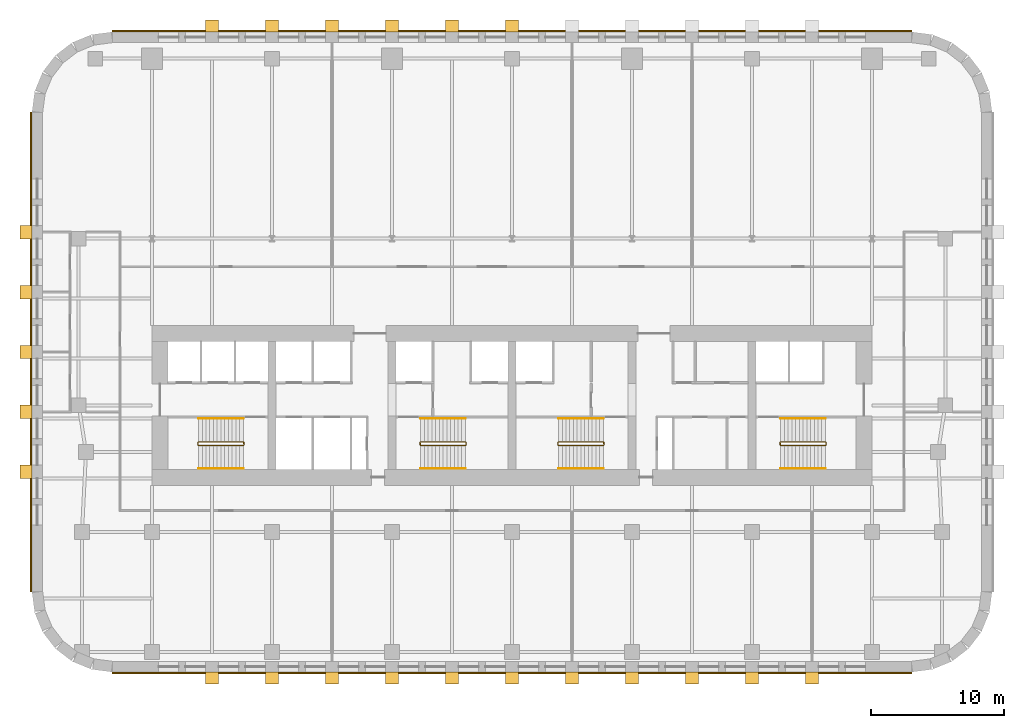
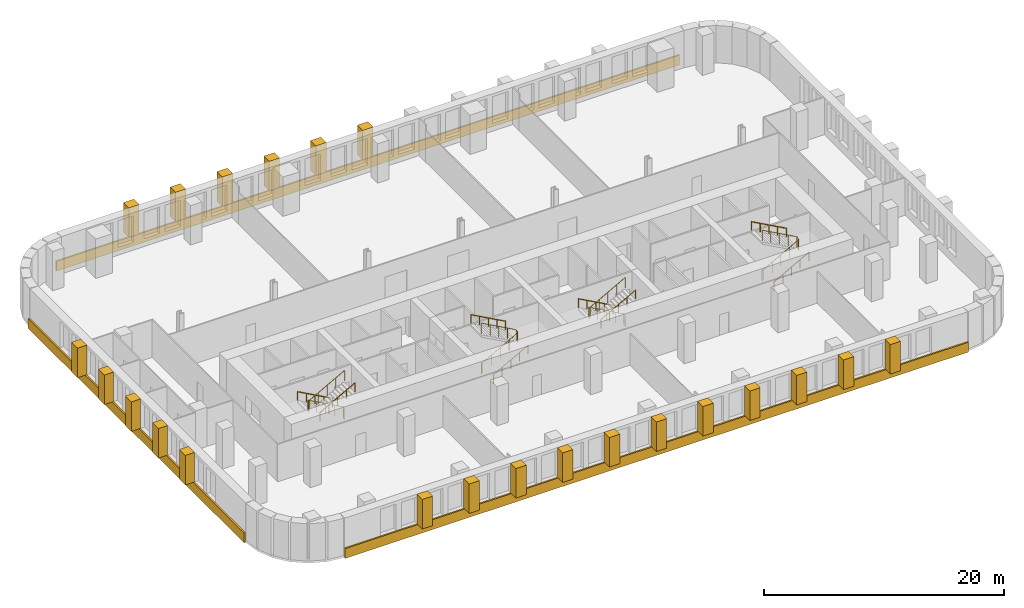
# One storey, part 10 of 11: 25 coverings, 12 railings.
"""IFC4 building model written with IfcOpenShell, lengths in metres."""

from ifc_helpers import new_model, si_unit, direction, frame, origin, origin_2d, place, context, subcontext, project, spatial, polyline, circle, outline, extrude, material, layer, layer_set, type_object, element, save


model = new_model("IFC4")

# Units and contexts
model_context = context("Model", 3, precision=1e-05, world=origin(), true_north=direction((0.0, 1.0)))
body_context = subcontext(model_context, "Body", "Model", "MODEL_VIEW")
ifc_project = project(units=[si_unit("LENGTHUNIT", "METRE"), si_unit("AREAUNIT", "SQUARE_METRE"), si_unit("VOLUMEUNIT", "CUBIC_METRE"), si_unit("PLANEANGLEUNIT", "RADIAN"), si_unit("MASSUNIT", "GRAM", prefix="KILO")], contexts=[model_context])

# Site, building, storey
site_placement = place(None, origin())
site = spatial("IfcSite", under=ifc_project, at=site_placement, CompositionType="ELEMENT")
building_placement = place(site_placement, origin())
building = spatial("IfcBuilding", under=site, at=building_placement, Name="Zellij Exchange Tower", CompositionType="ELEMENT")
storey_placement = place(building_placement, frame((0.0, 0.0, 72.5)))
storey = spatial("IfcBuildingStorey", under=building, at=storey_placement, Name="L14", CompositionType="ELEMENT", Elevation=72.5)

# Railings
ifc_material_1 = material(Name="Stainless steel", Category="steel")
railing_type_1 = type_object("IfcRailingType", Name="CORE-RG stair guard", PredefinedType="GUARDRAIL", material=ifc_material_1)
railing_1_placement = place(storey_placement, frame((-20.10009765625, -10.800048828125, 0.0)))
element("IfcRailing", 1, at=railing_1_placement, inside=storey, type_object=railing_type_1, Name="ST1 stair guard L14", PredefinedType="GUARDRAIL", context=body_context, shape_type="SweptSolid", body=[
    extrude(circle(Radius=0.02392578125, at=origin_2d()), frame((0.0, 0.0, 1.076171875), z_axis=(0.0, -1.0, 0.0), x_axis=(1.0, 0.0, 0.0)), (0.0, 0.0, 1.0), 0.14990234375),
    extrude(circle(Radius=0.02392578125, at=origin_2d()), frame((0.0, -0.14990234375, 1.076171875), z_axis=(-0.193691321961, 0.777613689637, 0.598164376644), x_axis=(-0.970351222016, -0.241699205484, 0.0)), (0.0, 0.0, 1.0), 0.257080078125),
    extrude(circle(Radius=0.02392578125, at=origin_2d()), frame((-0.0498046875, 0.050048828125, 1.22998046875), z_axis=(-0.876421534553, 0.0, 0.481544695509), x_axis=(0.0, -1.0, 0.0)), (0.0, 0.0, 1.0), 3.833984375),
    extrude(circle(Radius=0.02392578125, at=origin_2d()), frame((-3.409912109375, 0.050048828125, 3.076171875), z_axis=(-0.707106781187, -0.707106781187, 0.0), x_axis=(0.707106781187, -0.707106781187, 0.0)), (0.0, 0.0, 1.0), 0.07080078125),
    extrude(circle(Radius=0.02392578125, at=origin_2d()), frame((-3.4599609375, 0.0, 3.076171875), z_axis=(0.0, -1.0, 0.0), x_axis=(1.0, 0.0, 0.0)), (0.0, 0.0, 1.0), 0.14990234375),
    extrude(circle(Radius=0.02392578125, at=origin_2d()), frame((-3.4599609375, -0.14990234375, 3.076171875), z_axis=(0.295599637079, -0.295599637079, 0.908428152975), x_axis=(0.707106781187, 0.707106781187, 0.0)), (0.0, 0.0, 1.0), 0.16943359375),
    extrude(circle(Radius=0.02392578125, at=origin_2d()), frame((-3.409912109375, -0.199951171875, 3.22998046875), z_axis=(0.876421534553, 0.0, 0.481544695509), x_axis=(0.0, 1.0, 0.0)), (0.0, 0.0, 1.0), 3.833984375),
    extrude(circle(Radius=0.02099609375, at=origin_2d()), origin(), (0.0, 0.0, 1.0), 1.052001953125),
    extrude(circle(Radius=0.02099609375, at=origin_2d()), frame((0.0, -0.14990234375, 0.0)), (0.0, 0.0, 1.0), 1.052001953125),
    extrude(circle(Radius=0.02099609375, at=origin_2d()), frame((-0.0498046875, 0.050048828125, 0.15380859375)), (0.0, 0.0, 1.0), 1.052001953125),
    extrude(circle(Radius=0.02099609375, at=origin_2d()), frame((-0.889892578125, 0.050048828125, 0.615234375)), (0.0, 0.0, 1.0), 1.052001953125),
    extrude(circle(Radius=0.02099609375, at=origin_2d()), frame((-1.72998046875, 0.050048828125, 1.076904296875)), (0.0, 0.0, 1.0), 1.052001953125),
    extrude(circle(Radius=0.02099609375, at=origin_2d()), frame((-2.56982421875, 0.050048828125, 1.53857421875)), (0.0, 0.0, 1.0), 1.052001953125),
    extrude(circle(Radius=0.02099609375, at=origin_2d()), frame((-3.409912109375, 0.050048828125, 2.0)), (0.0, 0.0, 1.0), 1.052001953125),
    extrude(circle(Radius=0.02099609375, at=origin_2d()), frame((-3.4599609375, 0.0, 2.0)), (0.0, 0.0, 1.0), 1.052001953125),
    extrude(circle(Radius=0.02099609375, at=origin_2d()), frame((-3.4599609375, -0.14990234375, 2.0)), (0.0, 0.0, 1.0), 1.052001953125),
    extrude(circle(Radius=0.02099609375, at=origin_2d()), frame((-3.409912109375, -0.199951171875, 2.15380859375)), (0.0, 0.0, 1.0), 1.052001953125),
    extrude(circle(Radius=0.02099609375, at=origin_2d()), frame((-2.56982421875, -0.199951171875, 2.615234375)), (0.0, 0.0, 1.0), 1.052001953125),
    extrude(circle(Radius=0.02099609375, at=origin_2d()), frame((-1.72998046875, -0.199951171875, 3.076904296875)), (0.0, 0.0, 1.0), 1.052001953125),
    extrude(circle(Radius=0.02099609375, at=origin_2d()), frame((-0.889892578125, -0.199951171875, 3.53857421875)), (0.0, 0.0, 1.0), 1.052001953125),
    extrude(circle(Radius=0.02099609375, at=origin_2d()), frame((-0.0498046875, -0.199951171875, 4.0)), (0.0, 0.0, 1.0), 1.052001953125),
])
railing_2_placement = place(storey_placement, frame((-6.89990234375, -10.949951171875, 0.0)))
element("IfcRailing", 2, at=railing_2_placement, inside=storey, type_object=railing_type_1, Name="ST2 stair guard L14", PredefinedType="GUARDRAIL", context=body_context, shape_type="SweptSolid", body=[
    extrude(circle(Radius=0.02392578125, at=origin_2d()), frame((0.0, 0.0, 1.076171875), z_axis=(0.0, 1.0, 0.0), x_axis=(-1.0, 0.0, 0.0)), (0.0, 0.0, 1.0), 0.14990234375),
    extrude(circle(Radius=0.02392578125, at=origin_2d()), frame((0.0, 0.14990234375, 1.076171875), z_axis=(0.193691321961, -0.777613689637, 0.598164376644), x_axis=(0.970351222016, 0.241699205484, 0.0)), (0.0, 0.0, 1.0), 0.257080078125),
    extrude(circle(Radius=0.02392578125, at=origin_2d()), frame((0.0498046875, -0.050048828125, 1.22998046875), z_axis=(0.876421534553, 0.0, 0.481544695509), x_axis=(0.0, 1.0, 0.0)), (0.0, 0.0, 1.0), 3.833984375),
    extrude(circle(Radius=0.02392578125, at=origin_2d()), frame((3.409912109375, -0.050048828125, 3.076171875), z_axis=(0.707106781187, 0.707106781187, 0.0), x_axis=(-0.707106781187, 0.707106781187, 0.0)), (0.0, 0.0, 1.0), 0.07080078125),
    extrude(circle(Radius=0.02392578125, at=origin_2d()), frame((3.4599609375, 0.0, 3.076171875), z_axis=(0.0, 1.0, 0.0), x_axis=(-1.0, 0.0, 0.0)), (0.0, 0.0, 1.0), 0.14990234375),
    extrude(circle(Radius=0.02392578125, at=origin_2d()), frame((3.4599609375, 0.14990234375, 3.076171875), z_axis=(-0.295599637079, 0.295599637079, 0.908428152975), x_axis=(-0.707106781187, -0.707106781187, 0.0)), (0.0, 0.0, 1.0), 0.16943359375),
    extrude(circle(Radius=0.02392578125, at=origin_2d()), frame((3.409912109375, 0.199951171875, 3.22998046875), z_axis=(-0.876421534553, 0.0, 0.481544695509), x_axis=(0.0, -1.0, 0.0)), (0.0, 0.0, 1.0), 3.833984375),
    extrude(circle(Radius=0.02099609375, at=origin_2d()), origin(), (0.0, 0.0, 1.0), 1.052001953125),
    extrude(circle(Radius=0.02099609375, at=origin_2d()), frame((0.0, 0.14990234375, 0.0)), (0.0, 0.0, 1.0), 1.052001953125),
    extrude(circle(Radius=0.02099609375, at=origin_2d()), frame((0.0498046875, -0.050048828125, 0.15380859375)), (0.0, 0.0, 1.0), 1.052001953125),
    extrude(circle(Radius=0.02099609375, at=origin_2d()), frame((0.889892578125, -0.050048828125, 0.615234375)), (0.0, 0.0, 1.0), 1.052001953125),
    extrude(circle(Radius=0.02099609375, at=origin_2d()), frame((1.72998046875, -0.050048828125, 1.076904296875)), (0.0, 0.0, 1.0), 1.052001953125),
    extrude(circle(Radius=0.02099609375, at=origin_2d()), frame((2.56982421875, -0.050048828125, 1.53857421875)), (0.0, 0.0, 1.0), 1.052001953125),
    extrude(circle(Radius=0.02099609375, at=origin_2d()), frame((3.409912109375, -0.050048828125, 2.0)), (0.0, 0.0, 1.0), 1.052001953125),
    extrude(circle(Radius=0.02099609375, at=origin_2d()), frame((3.4599609375, 0.0, 2.0)), (0.0, 0.0, 1.0), 1.052001953125),
    extrude(circle(Radius=0.02099609375, at=origin_2d()), frame((3.4599609375, 0.14990234375, 2.0)), (0.0, 0.0, 1.0), 1.052001953125),
    extrude(circle(Radius=0.02099609375, at=origin_2d()), frame((3.409912109375, 0.199951171875, 2.15380859375)), (0.0, 0.0, 1.0), 1.052001953125),
    extrude(circle(Radius=0.02099609375, at=origin_2d()), frame((2.56982421875, 0.199951171875, 2.615234375)), (0.0, 0.0, 1.0), 1.052001953125),
    extrude(circle(Radius=0.02099609375, at=origin_2d()), frame((1.72998046875, 0.199951171875, 3.076904296875)), (0.0, 0.0, 1.0), 1.052001953125),
    extrude(circle(Radius=0.02099609375, at=origin_2d()), frame((0.889892578125, 0.199951171875, 3.53857421875)), (0.0, 0.0, 1.0), 1.052001953125),
    extrude(circle(Radius=0.02099609375, at=origin_2d()), frame((0.0498046875, 0.199951171875, 4.0)), (0.0, 0.0, 1.0), 1.052001953125),
])
railing_3_placement = place(storey_placement, frame((6.89990234375, -10.800048828125, 0.0)))
element("IfcRailing", 3, at=railing_3_placement, inside=storey, type_object=railing_type_1, Name="ST3 stair guard L14", PredefinedType="GUARDRAIL", context=body_context, shape_type="SweptSolid", body=[
    extrude(circle(Radius=0.02392578125, at=origin_2d()), frame((0.0, 0.0, 1.076171875), z_axis=(0.0, -1.0, 0.0), x_axis=(1.0, 0.0, 0.0)), (0.0, 0.0, 1.0), 0.14990234375),
    extrude(circle(Radius=0.02392578125, at=origin_2d()), frame((0.0, -0.14990234375, 1.076171875), z_axis=(-0.193691321961, 0.777613689637, 0.598164376644), x_axis=(-0.970351222016, -0.241699205484, 0.0)), (0.0, 0.0, 1.0), 0.257080078125),
    extrude(circle(Radius=0.02392578125, at=origin_2d()), frame((-0.0498046875, 0.050048828125, 1.22998046875), z_axis=(-0.876421534553, 0.0, 0.481544695509), x_axis=(0.0, -1.0, 0.0)), (0.0, 0.0, 1.0), 3.833984375),
    extrude(circle(Radius=0.02392578125, at=origin_2d()), frame((-3.409912109375, 0.050048828125, 3.076171875), z_axis=(-0.707106781187, -0.707106781187, 0.0), x_axis=(0.707106781187, -0.707106781187, 0.0)), (0.0, 0.0, 1.0), 0.07080078125),
    extrude(circle(Radius=0.02392578125, at=origin_2d()), frame((-3.4599609375, 0.0, 3.076171875), z_axis=(0.0, -1.0, 0.0), x_axis=(1.0, 0.0, 0.0)), (0.0, 0.0, 1.0), 0.14990234375),
    extrude(circle(Radius=0.02392578125, at=origin_2d()), frame((-3.4599609375, -0.14990234375, 3.076171875), z_axis=(0.295599637079, -0.295599637079, 0.908428152975), x_axis=(0.707106781187, 0.707106781187, 0.0)), (0.0, 0.0, 1.0), 0.16943359375),
    extrude(circle(Radius=0.02392578125, at=origin_2d()), frame((-3.409912109375, -0.199951171875, 3.22998046875), z_axis=(0.876421534553, 0.0, 0.481544695509), x_axis=(0.0, 1.0, 0.0)), (0.0, 0.0, 1.0), 3.833984375),
    extrude(circle(Radius=0.02099609375, at=origin_2d()), origin(), (0.0, 0.0, 1.0), 1.052001953125),
    extrude(circle(Radius=0.02099609375, at=origin_2d()), frame((0.0, -0.14990234375, 0.0)), (0.0, 0.0, 1.0), 1.052001953125),
    extrude(circle(Radius=0.02099609375, at=origin_2d()), frame((-0.0498046875, 0.050048828125, 0.15380859375)), (0.0, 0.0, 1.0), 1.052001953125),
    extrude(circle(Radius=0.02099609375, at=origin_2d()), frame((-0.889892578125, 0.050048828125, 0.615234375)), (0.0, 0.0, 1.0), 1.052001953125),
    extrude(circle(Radius=0.02099609375, at=origin_2d()), frame((-1.72998046875, 0.050048828125, 1.076904296875)), (0.0, 0.0, 1.0), 1.052001953125),
    extrude(circle(Radius=0.02099609375, at=origin_2d()), frame((-2.56982421875, 0.050048828125, 1.53857421875)), (0.0, 0.0, 1.0), 1.052001953125),
    extrude(circle(Radius=0.02099609375, at=origin_2d()), frame((-3.409912109375, 0.050048828125, 2.0)), (0.0, 0.0, 1.0), 1.052001953125),
    extrude(circle(Radius=0.02099609375, at=origin_2d()), frame((-3.4599609375, 0.0, 2.0)), (0.0, 0.0, 1.0), 1.052001953125),
    extrude(circle(Radius=0.02099609375, at=origin_2d()), frame((-3.4599609375, -0.14990234375, 2.0)), (0.0, 0.0, 1.0), 1.052001953125),
    extrude(circle(Radius=0.02099609375, at=origin_2d()), frame((-3.409912109375, -0.199951171875, 2.15380859375)), (0.0, 0.0, 1.0), 1.052001953125),
    extrude(circle(Radius=0.02099609375, at=origin_2d()), frame((-2.56982421875, -0.199951171875, 2.615234375)), (0.0, 0.0, 1.0), 1.052001953125),
    extrude(circle(Radius=0.02099609375, at=origin_2d()), frame((-1.72998046875, -0.199951171875, 3.076904296875)), (0.0, 0.0, 1.0), 1.052001953125),
    extrude(circle(Radius=0.02099609375, at=origin_2d()), frame((-0.889892578125, -0.199951171875, 3.53857421875)), (0.0, 0.0, 1.0), 1.052001953125),
    extrude(circle(Radius=0.02099609375, at=origin_2d()), frame((-0.0498046875, -0.199951171875, 4.0)), (0.0, 0.0, 1.0), 1.052001953125),
])
railing_4_placement = place(storey_placement, frame((20.10009765625, -10.949951171875, 0.0)))
element("IfcRailing", 4, at=railing_4_placement, inside=storey, type_object=railing_type_1, Name="ST4 stair guard L14", PredefinedType="GUARDRAIL", context=body_context, shape_type="SweptSolid", body=[
    extrude(circle(Radius=0.02392578125, at=origin_2d()), frame((0.0, 0.0, 1.076171875), z_axis=(0.0, 1.0, 0.0), x_axis=(-1.0, 0.0, 0.0)), (0.0, 0.0, 1.0), 0.14990234375),
    extrude(circle(Radius=0.02392578125, at=origin_2d()), frame((0.0, 0.14990234375, 1.076171875), z_axis=(0.193691321961, -0.777613689637, 0.598164376644), x_axis=(0.970351222016, 0.241699205484, 0.0)), (0.0, 0.0, 1.0), 0.257080078125),
    extrude(circle(Radius=0.02392578125, at=origin_2d()), frame((0.0498046875, -0.050048828125, 1.22998046875), z_axis=(0.876421534553, 0.0, 0.481544695509), x_axis=(0.0, 1.0, 0.0)), (0.0, 0.0, 1.0), 3.833984375),
    extrude(circle(Radius=0.02392578125, at=origin_2d()), frame((3.409912109375, -0.050048828125, 3.076171875), z_axis=(0.707106781187, 0.707106781187, 0.0), x_axis=(-0.707106781187, 0.707106781187, 0.0)), (0.0, 0.0, 1.0), 0.07080078125),
    extrude(circle(Radius=0.02392578125, at=origin_2d()), frame((3.4599609375, 0.0, 3.076171875), z_axis=(0.0, 1.0, 0.0), x_axis=(-1.0, 0.0, 0.0)), (0.0, 0.0, 1.0), 0.14990234375),
    extrude(circle(Radius=0.02392578125, at=origin_2d()), frame((3.4599609375, 0.14990234375, 3.076171875), z_axis=(-0.295599637079, 0.295599637079, 0.908428152975), x_axis=(-0.707106781187, -0.707106781187, 0.0)), (0.0, 0.0, 1.0), 0.16943359375),
    extrude(circle(Radius=0.02392578125, at=origin_2d()), frame((3.409912109375, 0.199951171875, 3.22998046875), z_axis=(-0.876421534553, 0.0, 0.481544695509), x_axis=(0.0, -1.0, 0.0)), (0.0, 0.0, 1.0), 3.833984375),
    extrude(circle(Radius=0.02099609375, at=origin_2d()), origin(), (0.0, 0.0, 1.0), 1.052001953125),
    extrude(circle(Radius=0.02099609375, at=origin_2d()), frame((0.0, 0.14990234375, 0.0)), (0.0, 0.0, 1.0), 1.052001953125),
    extrude(circle(Radius=0.02099609375, at=origin_2d()), frame((0.0498046875, -0.050048828125, 0.15380859375)), (0.0, 0.0, 1.0), 1.052001953125),
    extrude(circle(Radius=0.02099609375, at=origin_2d()), frame((0.889892578125, -0.050048828125, 0.615234375)), (0.0, 0.0, 1.0), 1.052001953125),
    extrude(circle(Radius=0.02099609375, at=origin_2d()), frame((1.72998046875, -0.050048828125, 1.076904296875)), (0.0, 0.0, 1.0), 1.052001953125),
    extrude(circle(Radius=0.02099609375, at=origin_2d()), frame((2.56982421875, -0.050048828125, 1.53857421875)), (0.0, 0.0, 1.0), 1.052001953125),
    extrude(circle(Radius=0.02099609375, at=origin_2d()), frame((3.409912109375, -0.050048828125, 2.0)), (0.0, 0.0, 1.0), 1.052001953125),
    extrude(circle(Radius=0.02099609375, at=origin_2d()), frame((3.4599609375, 0.0, 2.0)), (0.0, 0.0, 1.0), 1.052001953125),
    extrude(circle(Radius=0.02099609375, at=origin_2d()), frame((3.4599609375, 0.14990234375, 2.0)), (0.0, 0.0, 1.0), 1.052001953125),
    extrude(circle(Radius=0.02099609375, at=origin_2d()), frame((3.409912109375, 0.199951171875, 2.15380859375)), (0.0, 0.0, 1.0), 1.052001953125),
    extrude(circle(Radius=0.02099609375, at=origin_2d()), frame((2.56982421875, 0.199951171875, 2.615234375)), (0.0, 0.0, 1.0), 1.052001953125),
    extrude(circle(Radius=0.02099609375, at=origin_2d()), frame((1.72998046875, 0.199951171875, 3.076904296875)), (0.0, 0.0, 1.0), 1.052001953125),
    extrude(circle(Radius=0.02099609375, at=origin_2d()), frame((0.889892578125, 0.199951171875, 3.53857421875)), (0.0, 0.0, 1.0), 1.052001953125),
    extrude(circle(Radius=0.02099609375, at=origin_2d()), frame((0.0498046875, 0.199951171875, 4.0)), (0.0, 0.0, 1.0), 1.052001953125),
])
railing_type_2 = type_object("IfcRailingType", Name="CORE-RH stair handrail", PredefinedType="HANDRAIL", material=ifc_material_1)
railing_5_placement = place(storey_placement, frame((-20.14990234375, -9.0, 0.15380859375)))
element("IfcRailing", 5, at=railing_5_placement, inside=storey, type_object=railing_type_2, Name="ST1 stair handrail L14", PredefinedType="HANDRAIL", context=body_context, shape_type="SweptSolid", body=[
    extrude(circle(Radius=0.02392578125, at=origin_2d()), frame((0.0, 0.0, 0.8759765625), z_axis=(-0.876421534553, 0.0, 0.481544695509), x_axis=(0.0, -1.0, 0.0)), (0.0, 0.0, 1.0), 3.833984375),
    extrude(circle(Radius=0.02099609375, at=origin_2d()), origin(), (0.0, 0.0, 1.0), 0.851806640625),
    extrude(circle(Radius=0.02099609375, at=origin_2d()), frame((-0.840087890625, 0.0, 0.46142578125)), (0.0, 0.0, 1.0), 0.851806640625),
    extrude(circle(Radius=0.02099609375, at=origin_2d()), frame((-1.68017578125, 0.0, 0.923095703125)), (0.0, 0.0, 1.0), 0.851806640625),
    extrude(circle(Radius=0.02099609375, at=origin_2d()), frame((-2.52001953125, 0.0, 1.384765625)), (0.0, 0.0, 1.0), 0.851806640625),
    extrude(circle(Radius=0.02099609375, at=origin_2d()), frame((-3.360107421875, 0.0, 1.84619140625)), (0.0, 0.0, 1.0), 0.851806640625),
])
for number, where, name in (
    (6, (-23.510009765625, -12.75, 2.15380859375), "ST1 stair handrail L14"),
    (7, (-6.85009765625, -12.75, 0.15380859375), "ST2 stair handrail L14"),
):
    element("IfcRailing", number, at=place(storey_placement, frame(where)), inside=storey, type_object=railing_type_2, Name=name, PredefinedType="HANDRAIL", context=body_context, shape_type="SweptSolid", body=[
        extrude(circle(Radius=0.02392578125, at=origin_2d()), frame((0.0, 0.0, 0.8759765625), z_axis=(0.876421534553, 0.0, 0.481544695509), x_axis=(0.0, 1.0, 0.0)), (0.0, 0.0, 1.0), 3.833984375),
        extrude(circle(Radius=0.02099609375, at=origin_2d()), origin(), (0.0, 0.0, 1.0), 0.851806640625),
        extrude(circle(Radius=0.02099609375, at=origin_2d()), frame((0.840087890625, 0.0, 0.46142578125)), (0.0, 0.0, 1.0), 0.851806640625),
        extrude(circle(Radius=0.02099609375, at=origin_2d()), frame((1.68017578125, 0.0, 0.923095703125)), (0.0, 0.0, 1.0), 0.851806640625),
        extrude(circle(Radius=0.02099609375, at=origin_2d()), frame((2.52001953125, 0.0, 1.384765625)), (0.0, 0.0, 1.0), 0.851806640625),
        extrude(circle(Radius=0.02099609375, at=origin_2d()), frame((3.360107421875, 0.0, 1.84619140625)), (0.0, 0.0, 1.0), 0.851806640625),
    ])
for number, where, name in (
    (8, (-3.489990234375, -9.0, 2.15380859375), "ST2 stair handrail L14"),
    (9, (6.85009765625, -9.0, 0.15380859375), "ST3 stair handrail L14"),
):
    element("IfcRailing", number, at=place(storey_placement, frame(where)), inside=storey, type_object=railing_type_2, Name=name, PredefinedType="HANDRAIL", context=body_context, shape_type="SweptSolid", body=[
        extrude(circle(Radius=0.02392578125, at=origin_2d()), frame((0.0, 0.0, 0.8759765625), z_axis=(-0.876421534553, 0.0, 0.481544695509), x_axis=(0.0, -1.0, 0.0)), (0.0, 0.0, 1.0), 3.833984375),
        extrude(circle(Radius=0.02099609375, at=origin_2d()), origin(), (0.0, 0.0, 1.0), 0.851806640625),
        extrude(circle(Radius=0.02099609375, at=origin_2d()), frame((-0.840087890625, 0.0, 0.46142578125)), (0.0, 0.0, 1.0), 0.851806640625),
        extrude(circle(Radius=0.02099609375, at=origin_2d()), frame((-1.68017578125, 0.0, 0.923095703125)), (0.0, 0.0, 1.0), 0.851806640625),
        extrude(circle(Radius=0.02099609375, at=origin_2d()), frame((-2.52001953125, 0.0, 1.384765625)), (0.0, 0.0, 1.0), 0.851806640625),
        extrude(circle(Radius=0.02099609375, at=origin_2d()), frame((-3.360107421875, 0.0, 1.84619140625)), (0.0, 0.0, 1.0), 0.851806640625),
    ])
for number, where, name in (
    (10, (3.489990234375, -12.75, 2.15380859375), "ST3 stair handrail L14"),
    (11, (20.14990234375, -12.75, 0.15380859375), "ST4 stair handrail L14"),
):
    element("IfcRailing", number, at=place(storey_placement, frame(where)), inside=storey, type_object=railing_type_2, Name=name, PredefinedType="HANDRAIL", context=body_context, shape_type="SweptSolid", body=[
        extrude(circle(Radius=0.02392578125, at=origin_2d()), frame((0.0, 0.0, 0.8759765625), z_axis=(0.876421534553, 0.0, 0.481544695509), x_axis=(0.0, 1.0, 0.0)), (0.0, 0.0, 1.0), 3.833984375),
        extrude(circle(Radius=0.02099609375, at=origin_2d()), origin(), (0.0, 0.0, 1.0), 0.851806640625),
        extrude(circle(Radius=0.02099609375, at=origin_2d()), frame((0.840087890625, 0.0, 0.46142578125)), (0.0, 0.0, 1.0), 0.851806640625),
        extrude(circle(Radius=0.02099609375, at=origin_2d()), frame((1.68017578125, 0.0, 0.923095703125)), (0.0, 0.0, 1.0), 0.851806640625),
        extrude(circle(Radius=0.02099609375, at=origin_2d()), frame((2.52001953125, 0.0, 1.384765625)), (0.0, 0.0, 1.0), 0.851806640625),
        extrude(circle(Radius=0.02099609375, at=origin_2d()), frame((3.360107421875, 0.0, 1.84619140625)), (0.0, 0.0, 1.0), 0.851806640625),
    ])
railing_6_placement = place(storey_placement, frame((23.510009765625, -9.0, 2.15380859375)))
element("IfcRailing", 12, at=railing_6_placement, inside=storey, type_object=railing_type_2, Name="ST4 stair handrail L14", PredefinedType="HANDRAIL", context=body_context, shape_type="SweptSolid", body=[
    extrude(circle(Radius=0.02392578125, at=origin_2d()), frame((0.0, 0.0, 0.8759765625), z_axis=(-0.876421534553, 0.0, 0.481544695509), x_axis=(0.0, -1.0, 0.0)), (0.0, 0.0, 1.0), 3.833984375),
    extrude(circle(Radius=0.02099609375, at=origin_2d()), origin(), (0.0, 0.0, 1.0), 0.851806640625),
    extrude(circle(Radius=0.02099609375, at=origin_2d()), frame((-0.840087890625, 0.0, 0.46142578125)), (0.0, 0.0, 1.0), 0.851806640625),
    extrude(circle(Radius=0.02099609375, at=origin_2d()), frame((-1.68017578125, 0.0, 0.923095703125)), (0.0, 0.0, 1.0), 0.851806640625),
    extrude(circle(Radius=0.02099609375, at=origin_2d()), frame((-2.52001953125, 0.0, 1.384765625)), (0.0, 0.0, 1.0), 0.851806640625),
    extrude(circle(Radius=0.02099609375, at=origin_2d()), frame((-3.360107421875, 0.0, 1.84619140625)), (0.0, 0.0, 1.0), 0.851806640625),
])

# Coverings
ifc_material_2 = material(Name="Limestone cladding", Category="masonry")
ifc_layer = layer(ifc_material_2, 0.14990234375)
ifc_layer_set = layer_set([ifc_layer], Name="Limestone cladding")
covering_type_1 = type_object("IfcCoveringType", Name="ENV-CV1 Stone spandrel band 150", PredefinedType="CLADDING", material=ifc_layer_set)
covering_1_placement = place(storey_placement, frame((0.0, 0.0, -0.199951171875)))
element("IfcCovering", 13, at=covering_1_placement, inside=storey, type_object=covering_type_1, Name="Stone spandrel band", PredefinedType="CLADDING", context=body_context, shape_type="SweptSolid", body=[
    extrude(outline(polyline([(-29.973876953125, -28.0), (29.973876953125, -28.0), (29.983642578125, -28.14990234375), (-29.983642578125, -28.14990234375), (-29.973876953125, -28.0)])), origin(), (0.0, 0.0, 1.0), 1.0),
])
covering_2_placement = place(storey_placement, frame((0.0, 0.0, -0.199951171875)))
element("IfcCovering", 14, at=covering_2_placement, inside=storey, type_object=covering_type_1, Name="Stone spandrel band", PredefinedType="CLADDING", context=body_context, shape_type="SweptSolid", body=[
    extrude(outline(polyline([(29.973876953125, 20.0), (-29.973876953125, 20.0), (-29.983642578125, 20.14990234375), (29.983642578125, 20.14990234375), (29.973876953125, 20.0)])), origin(), (0.0, 0.0, 1.0), 1.0),
])
covering_3_placement = place(storey_placement, frame((0.0, 0.0, -0.199951171875)))
element("IfcCovering", 15, at=covering_3_placement, inside=storey, type_object=covering_type_1, Name="Stone spandrel band", PredefinedType="CLADDING", context=body_context, shape_type="SweptSolid", body=[
    extrude(outline(polyline([(-36.0, 13.973876953125), (-36.0, -21.973876953125), (-36.14990234375, -21.983642578125), (-36.14990234375, 13.983642578125), (-36.0, 13.973876953125)])), origin(), (0.0, 0.0, 1.0), 1.0),
])
covering_type_2 = type_object("IfcCoveringType", Name="ENV-CV2 Stone pier 1000x900", PredefinedType="CLADDING", material=ifc_material_2)
covering_4_placement = place(storey_placement, frame((0.0, 0.0, 0.800048828125)))
element("IfcCovering", 16, at=covering_4_placement, inside=storey, type_object=covering_type_2, Name="Stone pier", PredefinedType="CLADDING", context=body_context, shape_type="SweptSolid", body=[
    extrude(outline(polyline([(-23.0, -28.0), (-22.0, -28.0), (-22.0, -28.89990234375), (-23.0, -28.89990234375), (-23.0, -28.0)])), origin(), (0.0, 0.0, 1.0), 3.0),
])
covering_5_placement = place(storey_placement, frame((0.0, 0.0, 0.800048828125)))
element("IfcCovering", 17, at=covering_5_placement, inside=storey, type_object=covering_type_2, Name="Stone pier", PredefinedType="CLADDING", context=body_context, shape_type="SweptSolid", body=[
    extrude(outline(polyline([(-18.5, -28.0), (-17.5, -28.0), (-17.5, -28.89990234375), (-18.5, -28.89990234375), (-18.5, -28.0)])), origin(), (0.0, 0.0, 1.0), 3.0),
])
covering_6_placement = place(storey_placement, frame((0.0, 0.0, 0.800048828125)))
element("IfcCovering", 18, at=covering_6_placement, inside=storey, type_object=covering_type_2, Name="Stone pier", PredefinedType="CLADDING", context=body_context, shape_type="SweptSolid", body=[
    extrude(outline(polyline([(-14.0, -28.0), (-13.0, -28.0), (-13.0, -28.89990234375), (-14.0, -28.89990234375), (-14.0, -28.0)])), origin(), (0.0, 0.0, 1.0), 3.0),
])
covering_7_placement = place(storey_placement, frame((0.0, 0.0, 0.800048828125)))
element("IfcCovering", 19, at=covering_7_placement, inside=storey, type_object=covering_type_2, Name="Stone pier", PredefinedType="CLADDING", context=body_context, shape_type="SweptSolid", body=[
    extrude(outline(polyline([(-9.5, -28.0), (-8.5, -28.0), (-8.5, -28.89990234375), (-9.5, -28.89990234375), (-9.5, -28.0)])), origin(), (0.0, 0.0, 1.0), 3.0),
])
covering_8_placement = place(storey_placement, frame((0.0, 0.0, 0.800048828125)))
element("IfcCovering", 20, at=covering_8_placement, inside=storey, type_object=covering_type_2, Name="Stone pier", PredefinedType="CLADDING", context=body_context, shape_type="SweptSolid", body=[
    extrude(outline(polyline([(-5.0, -28.0), (-4.0, -28.0), (-4.0, -28.89990234375), (-5.0, -28.89990234375), (-5.0, -28.0)])), origin(), (0.0, 0.0, 1.0), 3.0),
])
covering_9_placement = place(storey_placement, frame((0.0, 0.0, 0.800048828125)))
element("IfcCovering", 21, at=covering_9_placement, inside=storey, type_object=covering_type_2, Name="Stone pier", PredefinedType="CLADDING", context=body_context, shape_type="SweptSolid", body=[
    extrude(outline(polyline([(-0.5, -28.0), (0.5, -28.0), (0.5, -28.89990234375), (-0.5, -28.89990234375), (-0.5, -28.0)])), origin(), (0.0, 0.0, 1.0), 3.0),
])
covering_10_placement = place(storey_placement, frame((0.0, 0.0, 0.800048828125)))
element("IfcCovering", 22, at=covering_10_placement, inside=storey, type_object=covering_type_2, Name="Stone pier", PredefinedType="CLADDING", context=body_context, shape_type="SweptSolid", body=[
    extrude(outline(polyline([(4.0, -28.0), (5.0, -28.0), (5.0, -28.89990234375), (4.0, -28.89990234375), (4.0, -28.0)])), origin(), (0.0, 0.0, 1.0), 3.0),
])
covering_11_placement = place(storey_placement, frame((0.0, 0.0, 0.800048828125)))
element("IfcCovering", 23, at=covering_11_placement, inside=storey, type_object=covering_type_2, Name="Stone pier", PredefinedType="CLADDING", context=body_context, shape_type="SweptSolid", body=[
    extrude(outline(polyline([(8.5, -28.0), (9.5, -28.0), (9.5, -28.89990234375), (8.5, -28.89990234375), (8.5, -28.0)])), origin(), (0.0, 0.0, 1.0), 3.0),
])
covering_12_placement = place(storey_placement, frame((0.0, 0.0, 0.800048828125)))
element("IfcCovering", 24, at=covering_12_placement, inside=storey, type_object=covering_type_2, Name="Stone pier", PredefinedType="CLADDING", context=body_context, shape_type="SweptSolid", body=[
    extrude(outline(polyline([(13.0, -28.0), (14.0, -28.0), (14.0, -28.89990234375), (13.0, -28.89990234375), (13.0, -28.0)])), origin(), (0.0, 0.0, 1.0), 3.0),
])
covering_13_placement = place(storey_placement, frame((0.0, 0.0, 0.800048828125)))
element("IfcCovering", 25, at=covering_13_placement, inside=storey, type_object=covering_type_2, Name="Stone pier", PredefinedType="CLADDING", context=body_context, shape_type="SweptSolid", body=[
    extrude(outline(polyline([(17.5, -28.0), (18.5, -28.0), (18.5, -28.89990234375), (17.5, -28.89990234375), (17.5, -28.0)])), origin(), (0.0, 0.0, 1.0), 3.0),
])
covering_14_placement = place(storey_placement, frame((0.0, 0.0, 0.800048828125)))
element("IfcCovering", 26, at=covering_14_placement, inside=storey, type_object=covering_type_2, Name="Stone pier", PredefinedType="CLADDING", context=body_context, shape_type="SweptSolid", body=[
    extrude(outline(polyline([(22.0, -28.0), (23.0, -28.0), (23.0, -28.89990234375), (22.0, -28.89990234375), (22.0, -28.0)])), origin(), (0.0, 0.0, 1.0), 3.0),
])
covering_15_placement = place(storey_placement, frame((0.0, 0.0, 0.800048828125)))
element("IfcCovering", 27, at=covering_15_placement, inside=storey, type_object=covering_type_2, Name="Stone pier", PredefinedType="CLADDING", context=body_context, shape_type="SweptSolid", body=[
    extrude(outline(polyline([(0.5, 20.0), (-0.5, 20.0), (-0.5, 20.89990234375), (0.5, 20.89990234375), (0.5, 20.0)])), origin(), (0.0, 0.0, 1.0), 3.0),
])
covering_16_placement = place(storey_placement, frame((0.0, 0.0, 0.800048828125)))
element("IfcCovering", 28, at=covering_16_placement, inside=storey, type_object=covering_type_2, Name="Stone pier", PredefinedType="CLADDING", context=body_context, shape_type="SweptSolid", body=[
    extrude(outline(polyline([(-4.0, 20.0), (-5.0, 20.0), (-5.0, 20.89990234375), (-4.0, 20.89990234375), (-4.0, 20.0)])), origin(), (0.0, 0.0, 1.0), 3.0),
])
covering_17_placement = place(storey_placement, frame((0.0, 0.0, 0.800048828125)))
element("IfcCovering", 29, at=covering_17_placement, inside=storey, type_object=covering_type_2, Name="Stone pier", PredefinedType="CLADDING", context=body_context, shape_type="SweptSolid", body=[
    extrude(outline(polyline([(-8.5, 20.0), (-9.5, 20.0), (-9.5, 20.89990234375), (-8.5, 20.89990234375), (-8.5, 20.0)])), origin(), (0.0, 0.0, 1.0), 3.0),
])
covering_18_placement = place(storey_placement, frame((0.0, 0.0, 0.800048828125)))
element("IfcCovering", 30, at=covering_18_placement, inside=storey, type_object=covering_type_2, Name="Stone pier", PredefinedType="CLADDING", context=body_context, shape_type="SweptSolid", body=[
    extrude(outline(polyline([(-13.0, 20.0), (-14.0, 20.0), (-14.0, 20.89990234375), (-13.0, 20.89990234375), (-13.0, 20.0)])), origin(), (0.0, 0.0, 1.0), 3.0),
])
covering_19_placement = place(storey_placement, frame((0.0, 0.0, 0.800048828125)))
element("IfcCovering", 31, at=covering_19_placement, inside=storey, type_object=covering_type_2, Name="Stone pier", PredefinedType="CLADDING", context=body_context, shape_type="SweptSolid", body=[
    extrude(outline(polyline([(-17.5, 20.0), (-18.5, 20.0), (-18.5, 20.89990234375), (-17.5, 20.89990234375), (-17.5, 20.0)])), origin(), (0.0, 0.0, 1.0), 3.0),
])
covering_20_placement = place(storey_placement, frame((0.0, 0.0, 0.800048828125)))
element("IfcCovering", 32, at=covering_20_placement, inside=storey, type_object=covering_type_2, Name="Stone pier", PredefinedType="CLADDING", context=body_context, shape_type="SweptSolid", body=[
    extrude(outline(polyline([(-22.0, 20.0), (-23.0, 20.0), (-23.0, 20.89990234375), (-22.0, 20.89990234375), (-22.0, 20.0)])), origin(), (0.0, 0.0, 1.0), 3.0),
])
covering_21_placement = place(storey_placement, frame((0.0, 0.0, 0.800048828125)))
element("IfcCovering", 33, at=covering_21_placement, inside=storey, type_object=covering_type_2, Name="Stone pier", PredefinedType="CLADDING", context=body_context, shape_type="SweptSolid", body=[
    extrude(outline(polyline([(-36.0, 5.48681640625), (-36.0, 4.48681640625), (-36.89990234375, 4.48681640625), (-36.89990234375, 5.48681640625), (-36.0, 5.48681640625)])), origin(), (0.0, 0.0, 1.0), 3.0),
])
covering_22_placement = place(storey_placement, frame((0.0, 0.0, 0.800048828125)))
element("IfcCovering", 34, at=covering_22_placement, inside=storey, type_object=covering_type_2, Name="Stone pier", PredefinedType="CLADDING", context=body_context, shape_type="SweptSolid", body=[
    extrude(outline(polyline([(-36.0, 0.993408203125), (-36.0, -0.006591796875), (-36.89990234375, -0.006591796875), (-36.89990234375, 0.993408203125), (-36.0, 0.993408203125)])), origin(), (0.0, 0.0, 1.0), 3.0),
])
covering_23_placement = place(storey_placement, frame((0.0, 0.0, 0.800048828125)))
element("IfcCovering", 35, at=covering_23_placement, inside=storey, type_object=covering_type_2, Name="Stone pier", PredefinedType="CLADDING", context=body_context, shape_type="SweptSolid", body=[
    extrude(outline(polyline([(-36.0, -3.5), (-36.0, -4.5), (-36.89990234375, -4.5), (-36.89990234375, -3.5), (-36.0, -3.5)])), origin(), (0.0, 0.0, 1.0), 3.0),
])
covering_24_placement = place(storey_placement, frame((0.0, 0.0, 0.800048828125)))
element("IfcCovering", 36, at=covering_24_placement, inside=storey, type_object=covering_type_2, Name="Stone pier", PredefinedType="CLADDING", context=body_context, shape_type="SweptSolid", body=[
    extrude(outline(polyline([(-36.0, -7.993408203125), (-36.0, -8.993408203125), (-36.89990234375, -8.993408203125), (-36.89990234375, -7.993408203125), (-36.0, -7.993408203125)])), origin(), (0.0, 0.0, 1.0), 3.0),
])
covering_25_placement = place(storey_placement, frame((0.0, 0.0, 0.800048828125)))
element("IfcCovering", 37, at=covering_25_placement, inside=storey, type_object=covering_type_2, Name="Stone pier", PredefinedType="CLADDING", context=body_context, shape_type="SweptSolid", body=[
    extrude(outline(polyline([(-36.0, -12.48681640625), (-36.0, -13.48681640625), (-36.89990234375, -13.48681640625), (-36.89990234375, -12.48681640625), (-36.0, -12.48681640625)])), origin(), (0.0, 0.0, 1.0), 3.0),
])

save(model, "model.ifc")
